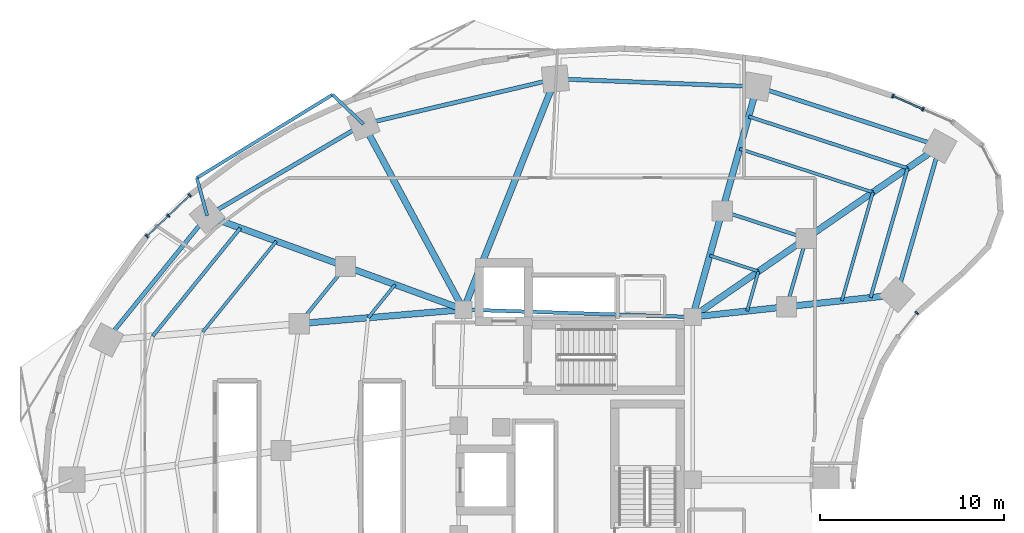
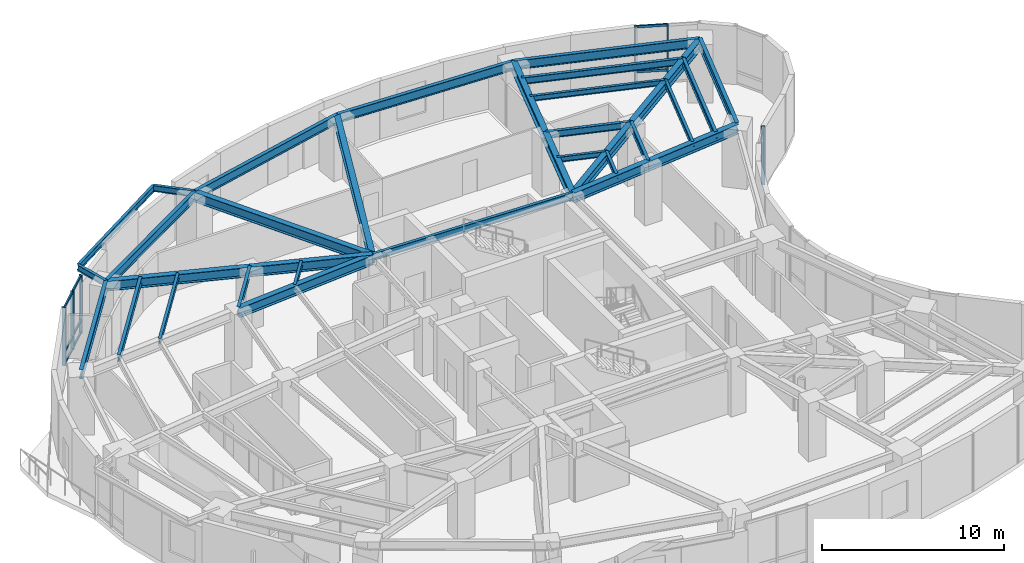
# One storey, part 5 of 13: 33 beams, 15 members, 3 elements without a shape of their own.
"""IFC4 building model written with IfcOpenShell, lengths in metres."""

from ifc_helpers import new_model, si_unit, direction, frame, origin, origin_2d, place, context, subcontext, project, spatial, rectangle, i_section, extrude, material, layer, layer_set, material_profile, profile_set, type_object, element, aggregate, save


model = new_model("IFC4")

# Units and contexts
model_context = context("Model", 3, precision=1e-05, world=origin(), true_north=direction((0.0, 1.0)))
body_context = subcontext(model_context, "Body", "Model", "MODEL_VIEW")
ifc_project = project(units=[si_unit("LENGTHUNIT", "METRE"), si_unit("AREAUNIT", "SQUARE_METRE"), si_unit("VOLUMEUNIT", "CUBIC_METRE"), si_unit("PLANEANGLEUNIT", "RADIAN"), si_unit("MASSUNIT", "GRAM", prefix="KILO")], contexts=[model_context])

# Site, building, storey
site_placement = place(None, origin())
site = spatial("IfcSite", under=ifc_project, at=site_placement, CompositionType="ELEMENT")
building_placement = place(site_placement, origin())
building = spatial("IfcBuilding", under=site, at=building_placement, Name="Korentha Bioscience Tower", CompositionType="ELEMENT")
storey_placement = place(building_placement, frame((0.0, 0.0, 67.800048828125)))
storey = spatial("IfcBuildingStorey", under=building, at=storey_placement, Name="L15", CompositionType="ELEMENT", Elevation=67.800048828125)

# Beams
ifc_material_1 = material(Name="Steel S355", Category="steel")
ifc_material_profile_1 = material_profile(ifc_material_1, i_section(OverallWidth=0.18994140625, OverallDepth=0.45703125, WebThickness=0.009033203125, FlangeThickness=0.014404296875, at=origin_2d()), Name="Steel S355")
ifc_profile_set_1 = profile_set([ifc_material_profile_1], Name="Steel S355 (MB-460)")
beam_type_1 = type_object("IfcBeamType", Name="Mid-Ring Tie Girder W460x74", PredefinedType="BEAM", material=ifc_profile_set_1)
beam_1_placement = place(storey_placement, frame((43.7265625, 40.121337890625, 3.67138671875), z_axis=(-0.950877001105, 0.309568940253, 0.0), x_axis=(-0.309568940253, -0.950877001105, 0.0)))
element("IfcBeam", 1, at=beam_1_placement, inside=storey, type_object=beam_type_1, Name="L15 Mid-Ring Tie Girder 01", PredefinedType="BEAM", context=body_context, shape_type="SweptSolid", body=[
    extrude(i_section(OverallWidth=0.18994140625, OverallDepth=0.45703125, WebThickness=0.009033203125, FlangeThickness=0.014404296875, at=origin_2d()), origin(), (0.0, 0.0, 1.0), 4.80126953125),
])
beam_2_placement = place(storey_placement, frame((18.692138671875, 38.5947265625, 3.67138671875), z_axis=(-0.629790009744, -0.776765436684, 0.0), x_axis=(0.776765436684, -0.629790009744, 0.0)))
element("IfcBeam", 2, at=beam_2_placement, inside=storey, type_object=beam_type_1, Name="L15 Mid-Ring Tie Girder 05", PredefinedType="BEAM", context=body_context, shape_type="SweptSolid", body=[
    extrude(i_section(OverallWidth=0.18994140625, OverallDepth=0.45703125, WebThickness=0.009033203125, FlangeThickness=0.014404296875, at=origin_2d()), origin(), (0.0, 0.0, 1.0), 3.998291015625),
])
beam_3_placement = place(storey_placement, frame((42.66162109375, 36.406982421875, 3.67138671875), z_axis=(0.27560557792, 0.961270807535, 0.0), x_axis=(-0.961270807535, 0.27560557792, 0.0)))
element("IfcBeam", 3, at=beam_3_placement, inside=storey, type_object=beam_type_1, Name="L15 Mid-Ring Tie Girder 16", PredefinedType="BEAM", context=body_context, shape_type="SweptSolid", body=[
    extrude(i_section(OverallWidth=0.18994140625, OverallDepth=0.45703125, WebThickness=0.009033203125, FlangeThickness=0.014404296875, at=origin_2d()), origin(), (0.0, 0.0, 1.0), 3.864013671875),
])
beam_4_placement = place(storey_placement, frame((37.550048828125, 35.85009765625, 3.67138671875), z_axis=(-0.999484526071, 0.032104238723, 0.0), x_axis=(-0.032104238723, -0.999484526071, 0.0)))
element("IfcBeam", 4, at=beam_4_placement, inside=storey, type_object=beam_type_1, Name="L15 Core Ring Tie Girder 01", PredefinedType="BEAM", context=body_context, shape_type="SweptSolid", body=[
    extrude(i_section(OverallWidth=0.18994140625, OverallDepth=0.45703125, WebThickness=0.009033203125, FlangeThickness=0.014404296875, at=origin_2d()), origin(), (0.0, 0.0, 1.0), 12.456298828125),
])

# Curtain wall, members
ifc_material_2 = material(Name="Thermally Broken Aluminium Frame", Category="aluminium")
ifc_layer = layer(ifc_material_2, 0.219970703125, Name="Thermally Broken Aluminium Frame")
ifc_layer_set = layer_set([ifc_layer], Name="Thermally Broken Aluminium Frame (CW-T1)")
curtain_wall_type = type_object("IfcCurtainWallType", Name="Standard Bioscience Lab Unitised Curtain Wall CW-T1", PredefinedType="USERDEFINED", material=ifc_layer_set)
curtain_wall_1_placement = place(storey_placement, origin())
curtain_wall_1 = element("IfcCurtainWall", 5, at=curtain_wall_1_placement, inside=storey, type_object=curtain_wall_type, Name="L15 Curtain Wall 01", ObjectType="UNITISED", PredefinedType="USERDEFINED")
ifc_material_3 = material(Name="Anodised Aluminium 6063-T6", Category="aluminium")
ifc_material_profile_2 = material_profile(ifc_material_3, rectangle(XDim=0.090087890625, YDim=0.199951171875, at=origin_2d()), Name="Anodised Aluminium 6063-T6")
ifc_profile_set_2 = profile_set([ifc_material_profile_2], Name="Anodised Aluminium 6063-T6 (CW-MUL)")
member_type_1 = type_object("IfcMemberType", Name="Mullion RECT 90x200", PredefinedType="MULLION", material=ifc_profile_set_2)
member_1_placement = place(storey_placement, frame((50.072998046875, 47.139404296875, 0.0), z_axis=(0.0, 0.0, 1.0), x_axis=(-0.91593909057, 0.401317308828, 0.0)))
member_1 = element("IfcMember", 6, at=member_1_placement, type_object=member_type_1, Name="CW-L15-01 Mullion 2", PredefinedType="MULLION", context=body_context, shape_type="SweptSolid", body=[
    extrude(rectangle(XDim=0.090087890625, YDim=0.199951171875, at=origin_2d()), origin(), (0.0, 0.0, 1.0), 3.89990234375),
])
member_2_placement = place(storey_placement, frame((48.43212890625, 47.8583984375, 0.0), z_axis=(0.0, 0.0, 1.0), x_axis=(-0.91593909057, 0.401317308828, 0.0)))
member_2 = element("IfcMember", 7, at=member_2_placement, type_object=member_type_1, Name="CW-L15-01 Mullion 3", PredefinedType="MULLION", context=body_context, shape_type="SweptSolid", body=[
    extrude(rectangle(XDim=0.090087890625, YDim=0.199951171875, at=origin_2d()), origin(), (0.0, 0.0, 1.0), 3.89990234375),
])

curtain_wall_2_placement = place(storey_placement, origin())
curtain_wall_2 = element("IfcCurtainWall", 8, at=curtain_wall_2_placement, inside=storey, type_object=curtain_wall_type, Name="L15 Curtain Wall 13", ObjectType="UNITISED", PredefinedType="USERDEFINED")
member_3_placement = place(storey_placement, frame((10.228759765625, 42.467041015625, 0.0), z_axis=(0.0, 0.0, 1.0), x_axis=(-0.723641761581, -0.690175775361, 0.0)))
member_3 = element("IfcMember", 9, at=member_3_placement, type_object=member_type_1, Name="CW-L15-13 Mullion 1", PredefinedType="MULLION", context=body_context, shape_type="SweptSolid", body=[
    extrude(rectangle(XDim=0.090087890625, YDim=0.199951171875, at=origin_2d()), origin(), (0.0, 0.0, 1.0), 3.89990234375),
])
member_4_placement = place(storey_placement, frame((9.05908203125, 41.3515625, 0.0), z_axis=(0.0, 0.0, 1.0), x_axis=(-0.723641761581, -0.690175775361, 0.0)))
member_4 = element("IfcMember", 10, at=member_4_placement, type_object=member_type_1, Name="CW-L15-13 Mullion 2", PredefinedType="MULLION", context=body_context, shape_type="SweptSolid", body=[
    extrude(rectangle(XDim=0.090087890625, YDim=0.199951171875, at=origin_2d()), origin(), (0.0, 0.0, 1.0), 3.89990234375),
])
member_5_placement = place(storey_placement, frame((7.889404296875, 40.236083984375, 0.0), z_axis=(0.0, 0.0, 1.0), x_axis=(-0.723641761581, -0.690175775361, 0.0)))
member_5 = element("IfcMember", 11, at=member_5_placement, type_object=member_type_1, Name="CW-L15-13 Mullion 3", PredefinedType="MULLION", context=body_context, shape_type="SweptSolid", body=[
    extrude(rectangle(XDim=0.090087890625, YDim=0.199951171875, at=origin_2d()), origin(), (0.0, 0.0, 1.0), 3.89990234375),
])

# Curtain wall, member
curtain_wall_3_placement = place(storey_placement, origin())
curtain_wall_3 = element("IfcCurtainWall", 12, at=curtain_wall_3_placement, inside=storey, type_object=curtain_wall_type, Name="L15 Curtain Wall 55", ObjectType="UNITISED", PredefinedType="USERDEFINED")
member_6_placement = place(storey_placement, frame((49.73291015625, 36.072021484375, 0.0), z_axis=(0.0, 0.0, 1.0), x_axis=(0.622520324648, 0.782603632371, 0.0)))
member_6 = element("IfcMember", 13, at=member_6_placement, type_object=member_type_1, Name="CW-L15-55 Mullion 2", PredefinedType="MULLION", context=body_context, shape_type="SweptSolid", body=[
    extrude(rectangle(XDim=0.090087890625, YDim=0.199951171875, at=origin_2d()), origin(), (0.0, 0.0, 1.0), 3.89990234375),
])
aggregate(curtain_wall_3, [member_6])

# Beams
ifc_material_profile_3 = material_profile(ifc_material_1, i_section(OverallWidth=0.22802734375, OverallDepth=0.60791015625, WebThickness=0.01123046875, FlangeThickness=0.017333984375, at=origin_2d()), Name="Steel S355")
ifc_profile_set_3 = profile_set([ifc_material_profile_3], Name="Steel S355 (SB-610)")
beam_type_2 = type_object("IfcBeamType", Name="Perimeter Ring Spandrel Girder W610x113", PredefinedType="SPANDREL", material=ifc_profile_set_3)
beam_5_placement = place(storey_placement, frame((50.977294921875, 45.135498046875, 3.595947265625), z_axis=(-0.95087511444, 0.309574735305, 0.0), x_axis=(-0.309574735305, -0.95087511444, 0.0)))
element("IfcBeam", 14, at=beam_5_placement, inside=storey, type_object=beam_type_2, Name="L15 Perimeter Spandrel Girder 01", PredefinedType="SPANDREL", context=body_context, shape_type="SweptSolid", body=[
    extrude(i_section(OverallWidth=0.22802734375, OverallDepth=0.60791015625, WebThickness=0.01123046875, FlangeThickness=0.017333984375, at=origin_2d()), origin(), (0.0, 0.0, 1.0), 10.4375),
])
beam_6_placement = place(storey_placement, frame((41.052490234375, 48.36669921875, 3.595947265625), z_axis=(-0.999246003889, 0.03882555488, 0.0), x_axis=(-0.03882555488, -0.999246003889, 0.0)))
element("IfcBeam", 15, at=beam_6_placement, inside=storey, type_object=beam_type_2, Name="L15 Perimeter Spandrel Girder 02", PredefinedType="SPANDREL", context=body_context, shape_type="SweptSolid", body=[
    extrude(i_section(OverallWidth=0.22802734375, OverallDepth=0.60791015625, WebThickness=0.01123046875, FlangeThickness=0.017333984375, at=origin_2d()), origin(), (0.0, 0.0, 1.0), 10.966552734375),
])
beam_7_placement = place(storey_placement, frame((30.09423828125, 48.79248046875, 3.595947265625), z_axis=(-0.973207885376, -0.229926970672, 0.0), x_axis=(0.229926970672, -0.973207885376, 0.0)))
element("IfcBeam", 16, at=beam_7_placement, inside=storey, type_object=beam_type_2, Name="L15 Perimeter Spandrel Girder 03", PredefinedType="SPANDREL", context=body_context, shape_type="SweptSolid", body=[
    extrude(i_section(OverallWidth=0.22802734375, OverallDepth=0.60791015625, WebThickness=0.01123046875, FlangeThickness=0.017333984375, at=origin_2d()), origin(), (0.0, 0.0, 1.0), 10.71484375),
])
beam_8_placement = place(storey_placement, frame((19.66650390625, 46.328857421875, 3.595947265625), z_axis=(-0.862656574181, -0.505790109653, 0.0), x_axis=(0.505790109653, -0.862656574181, 0.0)))
element("IfcBeam", 17, at=beam_8_placement, inside=storey, type_object=beam_type_2, Name="L15 Perimeter Spandrel Girder 04", PredefinedType="SPANDREL", context=body_context, shape_type="SweptSolid", body=[
    extrude(i_section(OverallWidth=0.22802734375, OverallDepth=0.60791015625, WebThickness=0.01123046875, FlangeThickness=0.017333984375, at=origin_2d()), origin(), (0.0, 0.0, 1.0), 9.849365234375),
])
beam_9_placement = place(storey_placement, frame((11.169921875, 41.34716796875, 3.595947265625), z_axis=(-0.629799210231, -0.776757976974, 0.0), x_axis=(0.776757976974, -0.629799210231, 0.0)))
element("IfcBeam", 18, at=beam_9_placement, inside=storey, type_object=beam_type_2, Name="L15 Perimeter Spandrel Girder 05", PredefinedType="SPANDREL", context=body_context, shape_type="SweptSolid", body=[
    extrude(i_section(OverallWidth=0.22802734375, OverallDepth=0.60791015625, WebThickness=0.01123046875, FlangeThickness=0.017333984375, at=origin_2d()), origin(), (0.0, 0.0, 1.0), 8.69189453125),
])
beam_10_placement = place(storey_placement, frame((48.661865234375, 37.060791015625, 3.595947265625), z_axis=(0.275642273411, 0.961260285827, 0.0), x_axis=(-0.961260285827, 0.275642273411, 0.0)))
element("IfcBeam", 19, at=beam_10_placement, inside=storey, type_object=beam_type_2, Name="L15 Perimeter Spandrel Girder 16", PredefinedType="SPANDREL", context=body_context, shape_type="SweptSolid", body=[
    extrude(i_section(OverallWidth=0.22802734375, OverallDepth=0.60791015625, WebThickness=0.01123046875, FlangeThickness=0.017333984375, at=origin_2d()), origin(), (0.0, 0.0, 1.0), 8.400146484375),
])
ifc_material_profile_4 = material_profile(ifc_material_1, i_section(OverallWidth=0.18994140625, OverallDepth=0.45703125, WebThickness=0.009033203125, FlangeThickness=0.014404296875, at=origin_2d()), Name="Steel S355")
ifc_profile_set_4 = profile_set([ifc_material_profile_4], Name="Steel S355 (RB-460)")
beam_type_3 = type_object("IfcBeamType", Name="Radial Laboratory Beam W460x74", PredefinedType="BEAM", material=ifc_profile_set_4)
beam_11_placement = place(storey_placement, frame((49.2373046875, 43.931884765625, 3.67138671875), z_axis=(-0.95087437499, 0.309577006554, 0.0), x_axis=(-0.309577006554, -0.95087437499, 0.0)))
element("IfcBeam", 20, at=beam_11_placement, inside=storey, type_object=beam_type_3, Name="L15 Secondary Floor Beam JSTO-01", PredefinedType="BEAM", context=body_context, shape_type="SweptSolid", body=[
    extrude(i_section(OverallWidth=0.18994140625, OverallDepth=0.45703125, WebThickness=0.009033203125, FlangeThickness=0.014404296875, at=origin_2d()), origin(), (0.0, 0.0, 1.0), 9.0849609375),
])
beam_12_placement = place(storey_placement, frame((12.97509765625, 40.6865234375, 3.67138671875), z_axis=(-0.629797748553, -0.776759162107, 0.0), x_axis=(0.776759162107, -0.629797748553, 0.0)))
element("IfcBeam", 21, at=beam_12_placement, inside=storey, type_object=beam_type_3, Name="L15 Secondary Floor Beam JSTO-05", PredefinedType="BEAM", context=body_context, shape_type="SweptSolid", body=[
    extrude(i_section(OverallWidth=0.18994140625, OverallDepth=0.45703125, WebThickness=0.009033203125, FlangeThickness=0.014404296875, at=origin_2d()), origin(), (0.0, 0.0, 1.0), 7.5654296875),
])
beam_13_placement = place(storey_placement, frame((47.2216796875, 36.90380859375, 3.67138671875), z_axis=(0.275682421415, 0.961248772443, 0.0), x_axis=(-0.961248772443, 0.275682421415, 0.0)))
element("IfcBeam", 22, at=beam_13_placement, inside=storey, type_object=beam_type_3, Name="L15 Secondary Floor Beam JSTO-16", PredefinedType="BEAM", context=body_context, shape_type="SweptSolid", body=[
    extrude(i_section(OverallWidth=0.18994140625, OverallDepth=0.45703125, WebThickness=0.009033203125, FlangeThickness=0.014404296875, at=origin_2d()), origin(), (0.0, 0.0, 1.0), 7.3115234375),
])
ifc_material_profile_5 = material_profile(ifc_material_1, i_section(OverallWidth=0.35009765625, OverallDepth=0.64990234375, WebThickness=0.01611328125, FlangeThickness=0.02490234375, at=origin_2d()), Name="Steel S355")
ifc_profile_set_5 = profile_set([ifc_material_profile_5], Name="Steel S355 (RB-650)")
beam_type_4 = type_object("IfcBeamType", Name="Radial Laboratory Girder CVS 650x208", PredefinedType="BEAM", material=ifc_profile_set_5)
beam_14_placement = place(storey_placement, frame((37.550048828125, 35.85009765625, 3.574951171875), z_axis=(0.822491697625, 0.568777115694, 0.0), x_axis=(-0.568777115694, 0.822491697625, 0.0)))
element("IfcBeam", 23, at=beam_14_placement, inside=storey, type_object=beam_type_4, Name="L15 Inner Radial Girder 01", PredefinedType="BEAM", context=body_context, shape_type="SweptSolid", body=[
    extrude(i_section(OverallWidth=0.35009765625, OverallDepth=0.64990234375, WebThickness=0.01611328125, FlangeThickness=0.02490234375, at=origin_2d()), origin(), (0.0, 0.0, 1.0), 7.509521484375),
])
beam_15_placement = place(storey_placement, frame((43.7265625, 40.121337890625, 3.574951171875), z_axis=(0.822488186113, 0.568782193555, 0.0), x_axis=(-0.568782193555, 0.822488186113, 0.0)))
element("IfcBeam", 24, at=beam_15_placement, inside=storey, type_object=beam_type_4, Name="L15 Outer Radial Girder 01", PredefinedType="BEAM", context=body_context, shape_type="SweptSolid", body=[
    extrude(i_section(OverallWidth=0.35009765625, OverallDepth=0.64990234375, WebThickness=0.01611328125, FlangeThickness=0.02490234375, at=origin_2d()), origin(), (0.0, 0.0, 1.0), 8.815673828125),
])
beam_16_placement = place(storey_placement, frame((37.550048828125, 35.85009765625, 3.574951171875), z_axis=(0.269469369205, 0.963008961049, 0.0), x_axis=(-0.963008961049, 0.269469369205, 0.0)))
element("IfcBeam", 25, at=beam_16_placement, inside=storey, type_object=beam_type_4, Name="L15 Inner Radial Girder 02", PredefinedType="BEAM", context=body_context, shape_type="SweptSolid", body=[
    extrude(i_section(OverallWidth=0.35009765625, OverallDepth=0.64990234375, WebThickness=0.01611328125, FlangeThickness=0.02490234375, at=origin_2d()), origin(), (0.0, 0.0, 1.0), 5.978759765625),
])
beam_17_placement = place(storey_placement, frame((39.1611328125, 41.607666015625, 3.574951171875), z_axis=(0.269475095129, 0.963007358801, 0.0), x_axis=(-0.963007358801, 0.269475095129, 0.0)))
element("IfcBeam", 26, at=beam_17_placement, inside=storey, type_object=beam_type_4, Name="L15 Outer Radial Girder 02", PredefinedType="BEAM", context=body_context, shape_type="SweptSolid", body=[
    extrude(i_section(OverallWidth=0.35009765625, OverallDepth=0.64990234375, WebThickness=0.01611328125, FlangeThickness=0.02490234375, at=origin_2d()), origin(), (0.0, 0.0, 1.0), 7.0185546875),
])
beam_18_placement = place(storey_placement, frame((25.10009765625, 36.25, 3.574951171875), z_axis=(0.369931007413, 0.929059228335, 0.0), x_axis=(-0.929059228335, 0.369931007413, 0.0)))
element("IfcBeam", 27, at=beam_18_placement, inside=storey, type_object=beam_type_4, Name="L15 Radial Girder 03", PredefinedType="BEAM", context=body_context, shape_type="SweptSolid", body=[
    extrude(i_section(OverallWidth=0.35009765625, OverallDepth=0.64990234375, WebThickness=0.01611328125, FlangeThickness=0.02490234375, at=origin_2d()), origin(), (0.0, 0.0, 1.0), 13.500244140625),
])
beam_19_placement = place(storey_placement, frame((25.10009765625, 36.25, 3.574951171875), z_axis=(-0.47454097106, 0.880233416081, 0.0), x_axis=(-0.880233416081, -0.47454097106, 0.0)))
element("IfcBeam", 28, at=beam_19_placement, inside=storey, type_object=beam_type_4, Name="L15 Radial Girder 04", PredefinedType="BEAM", context=body_context, shape_type="SweptSolid", body=[
    extrude(i_section(OverallWidth=0.35009765625, OverallDepth=0.64990234375, WebThickness=0.01611328125, FlangeThickness=0.02490234375, at=origin_2d()), origin(), (0.0, 0.0, 1.0), 11.4501953125),
])
beam_20_placement = place(storey_placement, frame((25.10009765625, 36.25, 3.574951171875), z_axis=(-0.939106237741, 0.343626940498, 0.0), x_axis=(-0.343626940498, -0.939106237741, 0.0)))
element("IfcBeam", 29, at=beam_20_placement, inside=storey, type_object=beam_type_4, Name="L15 Inner Radial Girder 05", PredefinedType="BEAM", context=body_context, shape_type="SweptSolid", body=[
    extrude(i_section(OverallWidth=0.35009765625, OverallDepth=0.64990234375, WebThickness=0.01611328125, FlangeThickness=0.02490234375, at=origin_2d()), origin(), (0.0, 0.0, 1.0), 6.823486328125),
])
beam_21_placement = place(storey_placement, frame((18.692138671875, 38.5947265625, 3.574951171875), z_axis=(-0.939106299948, 0.343626770491, 0.0), x_axis=(-0.343626770491, -0.939106299948, 0.0)))
element("IfcBeam", 30, at=beam_21_placement, inside=storey, type_object=beam_type_4, Name="L15 Outer Radial Girder 05", PredefinedType="BEAM", context=body_context, shape_type="SweptSolid", body=[
    extrude(i_section(OverallWidth=0.35009765625, OverallDepth=0.64990234375, WebThickness=0.01611328125, FlangeThickness=0.02490234375, at=origin_2d()), origin(), (0.0, 0.0, 1.0), 8.010009765625),
])
beam_22_placement = place(storey_placement, frame((25.10009765625, 36.25, 3.574951171875), z_axis=(-0.996385503026, -0.08494662654, 0.0), x_axis=(0.08494662654, -0.996385503026, 0.0)))
element("IfcBeam", 31, at=beam_22_placement, inside=storey, type_object=beam_type_4, Name="L15 Inner Radial Girder 06", PredefinedType="BEAM", context=body_context, shape_type="SweptSolid", body=[
    extrude(i_section(OverallWidth=0.35009765625, OverallDepth=0.64990234375, WebThickness=0.01611328125, FlangeThickness=0.02490234375, at=origin_2d()), origin(), (0.0, 0.0, 1.0), 8.95849609375),
])
beam_23_placement = place(storey_placement, frame((37.550048828125, 35.85009765625, 3.574951171875), z_axis=(0.994117709144, 0.10830503389, 0.0), x_axis=(-0.10830503389, 0.994117709144, 0.0)))
element("IfcBeam", 32, at=beam_23_placement, inside=storey, type_object=beam_type_4, Name="L15 Inner Radial Girder 16", PredefinedType="BEAM", context=body_context, shape_type="SweptSolid", body=[
    extrude(i_section(OverallWidth=0.35009765625, OverallDepth=0.64990234375, WebThickness=0.01611328125, FlangeThickness=0.02490234375, at=origin_2d()), origin(), (0.0, 0.0, 1.0), 5.141845703125),
])
beam_24_placement = place(storey_placement, frame((42.66162109375, 36.406982421875, 3.574951171875), z_axis=(0.994115805925, 0.108322501862, 0.0), x_axis=(-0.108322501862, 0.994115805925, 0.0)))
element("IfcBeam", 33, at=beam_24_placement, inside=storey, type_object=beam_type_4, Name="L15 Outer Radial Girder 16", PredefinedType="BEAM", context=body_context, shape_type="SweptSolid", body=[
    extrude(i_section(OverallWidth=0.35009765625, OverallDepth=0.64990234375, WebThickness=0.01611328125, FlangeThickness=0.02490234375, at=origin_2d()), origin(), (0.0, 0.0, 1.0), 6.03564453125),
])
ifc_material_profile_6 = material_profile(ifc_material_1, i_section(OverallWidth=0.1708984375, OverallDepth=0.35498046875, WebThickness=0.007080078125, FlangeThickness=0.01171875, at=origin_2d()), Name="Steel S355")
ifc_profile_set_6 = profile_set([ifc_material_profile_6], Name="Steel S355 (JB-360)")
beam_type_5 = type_object("IfcBeamType", Name="Secondary Laboratory Joist W360x51", PredefinedType="JOIST", material=ifc_profile_set_6)
beam_25_placement = place(storey_placement, frame((47.35205078125, 42.62841796875, 3.722412109375), z_axis=(-0.950870992772, 0.309587394938, 0.0), x_axis=(-0.309587394938, -0.950870992772, 0.0)))
element("IfcBeam", 34, at=beam_25_placement, inside=storey, type_object=beam_type_5, Name="L15 Secondary Floor Beam JST-01", PredefinedType="JOIST", context=body_context, shape_type="SweptSolid", body=[
    extrude(i_section(OverallWidth=0.1708984375, OverallDepth=0.35498046875, WebThickness=0.007080078125, FlangeThickness=0.01171875, at=origin_2d()), origin(), (0.0, 0.0, 1.0), 7.619384765625),
])
beam_26_placement = place(storey_placement, frame((41.13232421875, 38.327392578125, 3.722412109375), z_axis=(-0.950869630746, 0.309591578254, 0.0), x_axis=(-0.309591578254, -0.950869630746, 0.0)))
element("IfcBeam", 35, at=beam_26_placement, inside=storey, type_object=beam_type_5, Name="L15 Inner Bay Joist 01", PredefinedType="JOIST", context=body_context, shape_type="SweptSolid", body=[
    extrude(i_section(OverallWidth=0.1708984375, OverallDepth=0.35498046875, WebThickness=0.007080078125, FlangeThickness=0.01171875, at=origin_2d()), origin(), (0.0, 0.0, 1.0), 2.784423828125),
])
beam_27_placement = place(storey_placement, frame((14.930908203125, 39.970947265625, 3.722412109375), z_axis=(-0.629786899984, -0.776767958021, 0.0), x_axis=(0.776767958021, -0.629786899984, 0.0)))
element("IfcBeam", 36, at=beam_27_placement, inside=storey, type_object=beam_type_5, Name="L15 Secondary Floor Beam JST-05", PredefinedType="JOIST", context=body_context, shape_type="SweptSolid", body=[
    extrude(i_section(OverallWidth=0.1708984375, OverallDepth=0.35498046875, WebThickness=0.007080078125, FlangeThickness=0.01171875, at=origin_2d()), origin(), (0.0, 0.0, 1.0), 6.34521484375),
])
beam_28_placement = place(storey_placement, frame((21.38330078125, 37.60986328125, 3.722412109375), z_axis=(-0.629791657613, -0.776764100613, 0.0), x_axis=(0.776764100613, -0.629791657613, 0.0)))
element("IfcBeam", 37, at=beam_28_placement, inside=storey, type_object=beam_type_5, Name="L15 Inner Bay Joist 05", PredefinedType="JOIST", context=body_context, shape_type="SweptSolid", body=[
    extrude(i_section(OverallWidth=0.1708984375, OverallDepth=0.35498046875, WebThickness=0.007080078125, FlangeThickness=0.01171875, at=origin_2d()), origin(), (0.0, 0.0, 1.0), 2.31884765625),
])
beam_29_placement = place(storey_placement, frame((45.66162109375, 36.73388671875, 3.722412109375), z_axis=(0.275667500387, 0.96125305161, 0.0), x_axis=(-0.96125305161, 0.275667500387, 0.0)))
element("IfcBeam", 38, at=beam_29_placement, inside=storey, type_object=beam_type_5, Name="L15 Secondary Floor Beam JST-16", PredefinedType="JOIST", context=body_context, shape_type="SweptSolid", body=[
    extrude(i_section(OverallWidth=0.1708984375, OverallDepth=0.35498046875, WebThickness=0.007080078125, FlangeThickness=0.01171875, at=origin_2d()), origin(), (0.0, 0.0, 1.0), 6.132080078125),
])
beam_30_placement = place(storey_placement, frame((40.5146484375, 36.173095703125, 3.722412109375), z_axis=(0.275613067773, 0.961268660091, 0.0), x_axis=(-0.961268660091, 0.275613067773, 0.0)))
element("IfcBeam", 39, at=beam_30_placement, inside=storey, type_object=beam_type_5, Name="L15 Inner Bay Joist 16", PredefinedType="JOIST", context=body_context, shape_type="SweptSolid", body=[
    extrude(i_section(OverallWidth=0.1708984375, OverallDepth=0.35498046875, WebThickness=0.007080078125, FlangeThickness=0.01171875, at=origin_2d()), origin(), (0.0, 0.0, 1.0), 2.2412109375),
])
ifc_material_profile_7 = material_profile(ifc_material_1, i_section(OverallWidth=0.177978515625, OverallDepth=0.406982421875, WebThickness=0.0078125, FlangeThickness=0.0126953125, at=origin_2d()), Name="Steel S355")
ifc_profile_set_7 = profile_set([ifc_material_profile_7], Name="Steel S355 (CB-410)")
beam_type_6 = type_object("IfcBeamType", Name="Sun-Ledge Cantilever Beam W410x60", PredefinedType="BEAM", material=ifc_profile_set_7)
beam_31_placement = place(storey_placement, frame((19.66650390625, 46.328857421875, 3.698486328125), z_axis=(-0.72412793639, 0.689665666638, 0.0), x_axis=(-0.689665666638, -0.72412793639, 0.0)))
element("IfcBeam", 40, at=beam_31_placement, inside=storey, type_object=beam_type_6, Name="L15 Balcony Cantilever Bracket A-L16-01", PredefinedType="BEAM", context=body_context, shape_type="SweptSolid", body=[
    extrude(i_section(OverallWidth=0.177978515625, OverallDepth=0.406982421875, WebThickness=0.0078125, FlangeThickness=0.0126953125, at=origin_2d()), origin(), (0.0, 0.0, 1.0), 2.32373046875),
])
beam_32_placement = place(storey_placement, frame((11.169921875, 41.34716796875, 3.698486328125), z_axis=(-0.262283122947, 0.964990965459, 0.0), x_axis=(-0.964990965459, -0.262283122947, 0.0)))
element("IfcBeam", 41, at=beam_32_placement, inside=storey, type_object=beam_type_6, Name="L15 Balcony Cantilever Bracket B-L16-01", PredefinedType="BEAM", context=body_context, shape_type="SweptSolid", body=[
    extrude(i_section(OverallWidth=0.177978515625, OverallDepth=0.406982421875, WebThickness=0.0078125, FlangeThickness=0.0126953125, at=origin_2d()), origin(), (0.0, 0.0, 1.0), 2.129638671875),
])
beam_33_placement = place(storey_placement, frame((17.98388671875, 47.931396484375, 3.698486328125), z_axis=(-0.852065918872, -0.52343449437, 0.0), x_axis=(0.52343449437, -0.852065918872, 0.0)))
element("IfcBeam", 42, at=beam_33_placement, inside=storey, type_object=beam_type_6, Name="L15 Balcony Edge Trimmer Beam L16-01", PredefinedType="BEAM", context=body_context, shape_type="SweptSolid", body=[
    extrude(i_section(OverallWidth=0.177978515625, OverallDepth=0.406982421875, WebThickness=0.0078125, FlangeThickness=0.0126953125, at=origin_2d()), origin(), (0.0, 0.0, 1.0), 8.652587890625),
])

# Member
ifc_material_profile_8 = material_profile(ifc_material_3, rectangle(XDim=0.090087890625, YDim=0.159912109375, at=origin_2d()), Name="Anodised Aluminium 6063-T6")
ifc_profile_set_8 = profile_set([ifc_material_profile_8], Name="Anodised Aluminium 6063-T6 (CW-TRN)")
member_type_2 = type_object("IfcMemberType", Name="Transom RECT 90x160", PredefinedType="USERDEFINED", material=ifc_profile_set_8)
member_7_placement = place(storey_placement, frame((50.031494140625, 47.15771484375, 0.044921875), z_axis=(-0.915952992218, 0.401285579167, 0.0), x_axis=(-0.401285579167, -0.915952992218, 0.0)))
member_7 = element("IfcMember", 43, at=member_7_placement, type_object=member_type_2, Name="CW-L15-01 Bay 2 Transom 1", ObjectType="TRANSOM", PredefinedType="USERDEFINED", context=body_context, shape_type="SweptSolid", body=[
    extrude(rectangle(XDim=0.090087890625, YDim=0.159912109375, at=origin_2d()), origin(), (0.0, 0.0, 1.0), 1.701171875),
])

member_8_placement = place(storey_placement, frame((50.031494140625, 47.15771484375, 0.849853515625), z_axis=(-0.915952992218, 0.401285579167, 0.0), x_axis=(-0.401285579167, -0.915952992218, 0.0)))
member_8 = element("IfcMember", 44, at=member_8_placement, type_object=member_type_2, Name="CW-L15-01 Bay 2 Transom 2", ObjectType="TRANSOM", PredefinedType="USERDEFINED", context=body_context, shape_type="SweptSolid", body=[
    extrude(rectangle(XDim=0.090087890625, YDim=0.159912109375, at=origin_2d()), origin(), (0.0, 0.0, 1.0), 1.701171875),
])

member_9_placement = place(storey_placement, frame((50.031494140625, 47.15771484375, 3.85498046875), z_axis=(-0.915952992218, 0.401285579167, 0.0), x_axis=(-0.401285579167, -0.915952992218, 0.0)))
member_9 = element("IfcMember", 45, at=member_9_placement, type_object=member_type_2, Name="CW-L15-01 Bay 2 Transom 3", ObjectType="TRANSOM", PredefinedType="USERDEFINED", context=body_context, shape_type="SweptSolid", body=[
    extrude(rectangle(XDim=0.090087890625, YDim=0.159912109375, at=origin_2d()), origin(), (0.0, 0.0, 1.0), 1.701171875),
])

aggregate(curtain_wall_1, [member_1, member_2, member_7, member_8, member_9])

member_10_placement = place(storey_placement, frame((10.1962890625, 42.43603515625, 0.044921875), z_axis=(-0.72370039216, -0.690114296612, 0.0), x_axis=(0.690114296612, -0.72370039216, 0.0)))
member_10 = element("IfcMember", 46, at=member_10_placement, type_object=member_type_2, Name="CW-L15-13 Bay 1 Transom 1", ObjectType="TRANSOM", PredefinedType="USERDEFINED", context=body_context, shape_type="SweptSolid", body=[
    extrude(rectangle(XDim=0.090087890625, YDim=0.159912109375, at=origin_2d()), origin(), (0.0, 0.0, 1.0), 1.526611328125),
])

member_11_placement = place(storey_placement, frame((10.1962890625, 42.43603515625, 0.849853515625), z_axis=(-0.72370039216, -0.690114296612, 0.0), x_axis=(0.690114296612, -0.72370039216, 0.0)))
member_11 = element("IfcMember", 47, at=member_11_placement, type_object=member_type_2, Name="CW-L15-13 Bay 1 Transom 2", ObjectType="TRANSOM", PredefinedType="USERDEFINED", context=body_context, shape_type="SweptSolid", body=[
    extrude(rectangle(XDim=0.090087890625, YDim=0.159912109375, at=origin_2d()), origin(), (0.0, 0.0, 1.0), 1.526611328125),
])

member_12_placement = place(storey_placement, frame((10.1962890625, 42.43603515625, 3.85498046875), z_axis=(-0.72370039216, -0.690114296612, 0.0), x_axis=(0.690114296612, -0.72370039216, 0.0)))
member_12 = element("IfcMember", 48, at=member_12_placement, type_object=member_type_2, Name="CW-L15-13 Bay 1 Transom 3", ObjectType="TRANSOM", PredefinedType="USERDEFINED", context=body_context, shape_type="SweptSolid", body=[
    extrude(rectangle(XDim=0.090087890625, YDim=0.159912109375, at=origin_2d()), origin(), (0.0, 0.0, 1.0), 1.526611328125),
])

member_13_placement = place(storey_placement, frame((9.026611328125, 41.320556640625, 0.044921875), z_axis=(-0.72370039216, -0.690114296612, 0.0), x_axis=(0.690114296612, -0.72370039216, 0.0)))
member_13 = element("IfcMember", 49, at=member_13_placement, type_object=member_type_2, Name="CW-L15-13 Bay 2 Transom 1", ObjectType="TRANSOM", PredefinedType="USERDEFINED", context=body_context, shape_type="SweptSolid", body=[
    extrude(rectangle(XDim=0.090087890625, YDim=0.159912109375, at=origin_2d()), origin(), (0.0, 0.0, 1.0), 1.526611328125),
])

member_14_placement = place(storey_placement, frame((9.026611328125, 41.320556640625, 0.849853515625), z_axis=(-0.72370039216, -0.690114296612, 0.0), x_axis=(0.690114296612, -0.72370039216, 0.0)))
member_14 = element("IfcMember", 50, at=member_14_placement, type_object=member_type_2, Name="CW-L15-13 Bay 2 Transom 2", ObjectType="TRANSOM", PredefinedType="USERDEFINED", context=body_context, shape_type="SweptSolid", body=[
    extrude(rectangle(XDim=0.090087890625, YDim=0.159912109375, at=origin_2d()), origin(), (0.0, 0.0, 1.0), 1.526611328125),
])

member_15_placement = place(storey_placement, frame((9.026611328125, 41.320556640625, 3.85498046875), z_axis=(-0.72370039216, -0.690114296612, 0.0), x_axis=(0.690114296612, -0.72370039216, 0.0)))
member_15 = element("IfcMember", 51, at=member_15_placement, type_object=member_type_2, Name="CW-L15-13 Bay 2 Transom 3", ObjectType="TRANSOM", PredefinedType="USERDEFINED", context=body_context, shape_type="SweptSolid", body=[
    extrude(rectangle(XDim=0.090087890625, YDim=0.159912109375, at=origin_2d()), origin(), (0.0, 0.0, 1.0), 1.526611328125),
])

aggregate(curtain_wall_2, [member_3, member_4, member_5, member_10, member_11, member_12, member_13, member_14, member_15])

save(model, "model.ifc")
